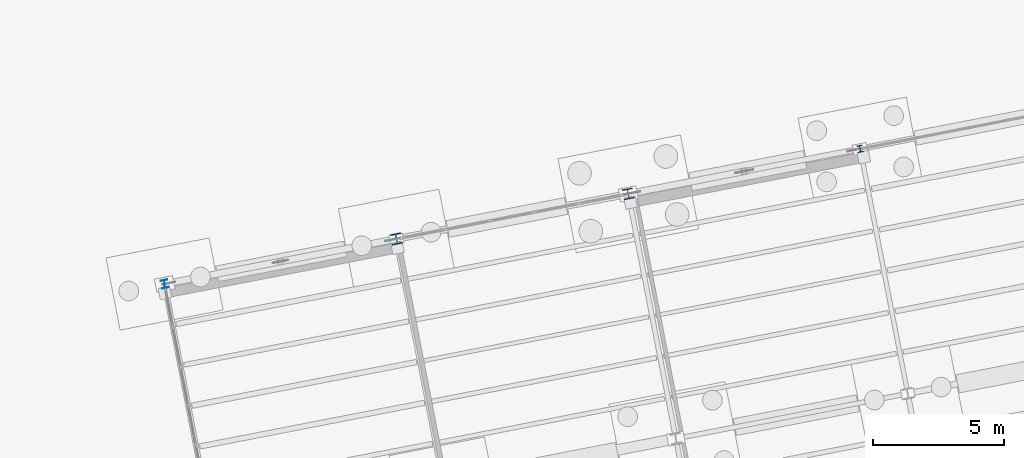
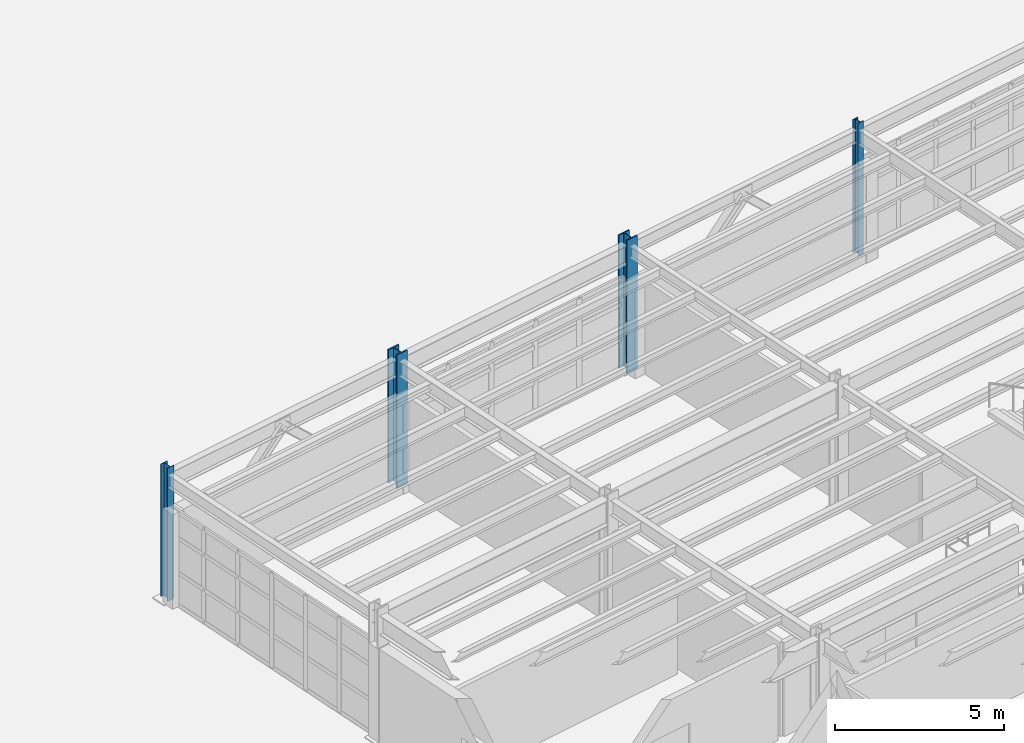
# One storey, part 12 of 108: 4 columns.
"""IFC4 building model written with IfcOpenShell, lengths in metres."""

from ifc_helpers import new_model, si_unit, direction, frame, origin, origin_2d, place, context, subcontext, project, spatial, i_section, extrude, material, material_profile, profile_set, type_object, element, save


model = new_model("IFC4")

# Units and contexts
model_context = context("Model", 3, precision=1e-05, world=origin(), true_north=direction((0.0, 1.0)))
body_context = subcontext(model_context, "Body", "Model", "MODEL_VIEW")
ifc_project = project(units=[si_unit("LENGTHUNIT", "METRE"), si_unit("AREAUNIT", "SQUARE_METRE"), si_unit("VOLUMEUNIT", "CUBIC_METRE"), si_unit("PLANEANGLEUNIT", "RADIAN"), si_unit("MASSUNIT", "GRAM", prefix="KILO")], contexts=[model_context])

# Site, building, storey
site_placement = place(None, origin())
site = spatial("IfcSite", under=ifc_project, at=site_placement, CompositionType="ELEMENT")
building_placement = place(site_placement, origin())
building = spatial("IfcBuilding", under=site, at=building_placement, Name="Vireo Bluff Cable Station", CompositionType="ELEMENT")
storey_placement = place(building_placement, origin())
storey = spatial("IfcBuildingStorey", under=building, at=storey_placement, Name="L00", CompositionType="ELEMENT", Elevation=0.0)

# Columns
ifc_material = material(Name="Steel ASTM A992 Gr. 50", Category="steel")
ifc_material_profile_1 = material_profile(ifc_material, i_section(OverallWidth=0.40087890625, OverallDepth=0.39892578125, WebThickness=0.02490234375, FlangeThickness=0.03955078125, FilletRadius=0.014892578125, at=origin_2d()), Name="W14X211")
ifc_profile_set_1 = profile_set([ifc_material_profile_1], Name="Steel ASTM A992 Gr. 50")
column_type_1 = type_object("IfcColumnType", Name="ECOL-W14X211", PredefinedType="COLUMN", material=ifc_profile_set_1)
column_1_placement = place(storey_placement, frame((21.731201171875, 36.910888671875, 0.0), z_axis=(0.0, 0.0, 1.0), x_axis=(0.981627183448, 0.190808995377, 0.0)))
element("IfcColumn", 1, at=column_1_placement, inside=storey, type_object=column_type_1, Name="V5 L00 column 361", PredefinedType="COLUMN", context=body_context, shape_type="SweptSolid", body=[
    extrude(i_section(OverallWidth=0.40087890625, OverallDepth=0.39892578125, WebThickness=0.02490234375, FlangeThickness=0.03955078125, FilletRadius=0.014892578125, at=origin_2d()), origin(), (0.0, 0.0, 1.0), 4.800048828125),
])
ifc_material_profile_2 = material_profile(ifc_material, i_section(OverallWidth=0.406005859375, OverallDepth=0.4169921875, WebThickness=0.02978515625, FlangeThickness=0.048095703125, FilletRadius=0.014892578125, at=origin_2d()), Name="W14X257")
ifc_profile_set_2 = profile_set([ifc_material_profile_2], Name="Steel ASTM A992 Gr. 50")
column_type_2 = type_object("IfcColumnType", Name="ECOL-W14X257", PredefinedType="COLUMN", material=ifc_profile_set_2)
column_2_placement = place(storey_placement, frame((12.896484375, 35.193603515625, 0.0), z_axis=(0.0, 0.0, 1.0), x_axis=(0.981627183448, 0.190808995377, 0.0)))
element("IfcColumn", 2, at=column_2_placement, inside=storey, type_object=column_type_2, Name="V5 L00 column 350", PredefinedType="COLUMN", context=body_context, shape_type="SweptSolid", body=[
    extrude(i_section(OverallWidth=0.406005859375, OverallDepth=0.4169921875, WebThickness=0.02978515625, FlangeThickness=0.048095703125, FilletRadius=0.014892578125, at=origin_2d()), origin(), (0.0, 0.0, 1.0), 4.800048828125),
])
ifc_material_profile_3 = material_profile(ifc_material, i_section(OverallWidth=0.2041015625, OverallDepth=0.257080078125, WebThickness=0.0087890625, FlangeThickness=0.015625, FilletRadius=0.009033203125, at=origin_2d()), Name="W10X45")
ifc_profile_set_3 = profile_set([ifc_material_profile_3], Name="Steel ASTM A992 Gr. 50")
column_type_3 = type_object("IfcColumnType", Name="PIL-W10X45", PredefinedType="PILASTER", material=ifc_profile_set_3)
column_3_placement = place(storey_placement, frame((30.56591796875, 38.628173828125, 0.0), z_axis=(0.0, 0.0, 1.0), x_axis=(0.981627183448, 0.190808995377, 0.0)))
element("IfcColumn", 3, at=column_3_placement, inside=storey, type_object=column_type_3, Name="V5 L00 column 372", PredefinedType="PILASTER", context=body_context, shape_type="SweptSolid", body=[
    extrude(i_section(OverallWidth=0.2041015625, OverallDepth=0.257080078125, WebThickness=0.0087890625, FlangeThickness=0.015625, FilletRadius=0.009033203125, at=origin_2d()), origin(), (0.0, 0.0, 1.0), 4.800048828125),
])
ifc_material_profile_4 = material_profile(ifc_material, i_section(OverallWidth=0.25390625, OverallDepth=0.305908203125, WebThickness=0.0087890625, FlangeThickness=0.0146484375, FilletRadius=0.010986328125, at=origin_2d()), Name="W12X53")
ifc_profile_set_4 = profile_set([ifc_material_profile_4], Name="Steel ASTM A992 Gr. 50")
column_type_4 = type_object("IfcColumnType", Name="PIL-W12X53", PredefinedType="PILASTER", material=ifc_profile_set_4)
column_4_placement = place(storey_placement, frame((4.06201171875, 33.476318359375, 0.0), z_axis=(0.0, 0.0, 1.0), x_axis=(0.981627183448, 0.190808995377, 0.0)))
element("IfcColumn", 4, at=column_4_placement, inside=storey, type_object=column_type_4, Name="V5 L00 column 339", PredefinedType="PILASTER", context=body_context, shape_type="SweptSolid", body=[
    extrude(i_section(OverallWidth=0.25390625, OverallDepth=0.305908203125, WebThickness=0.0087890625, FlangeThickness=0.0146484375, FilletRadius=0.010986328125, at=origin_2d()), origin(), (0.0, 0.0, 1.0), 4.800048828125),
])

save(model, "model.ifc")
